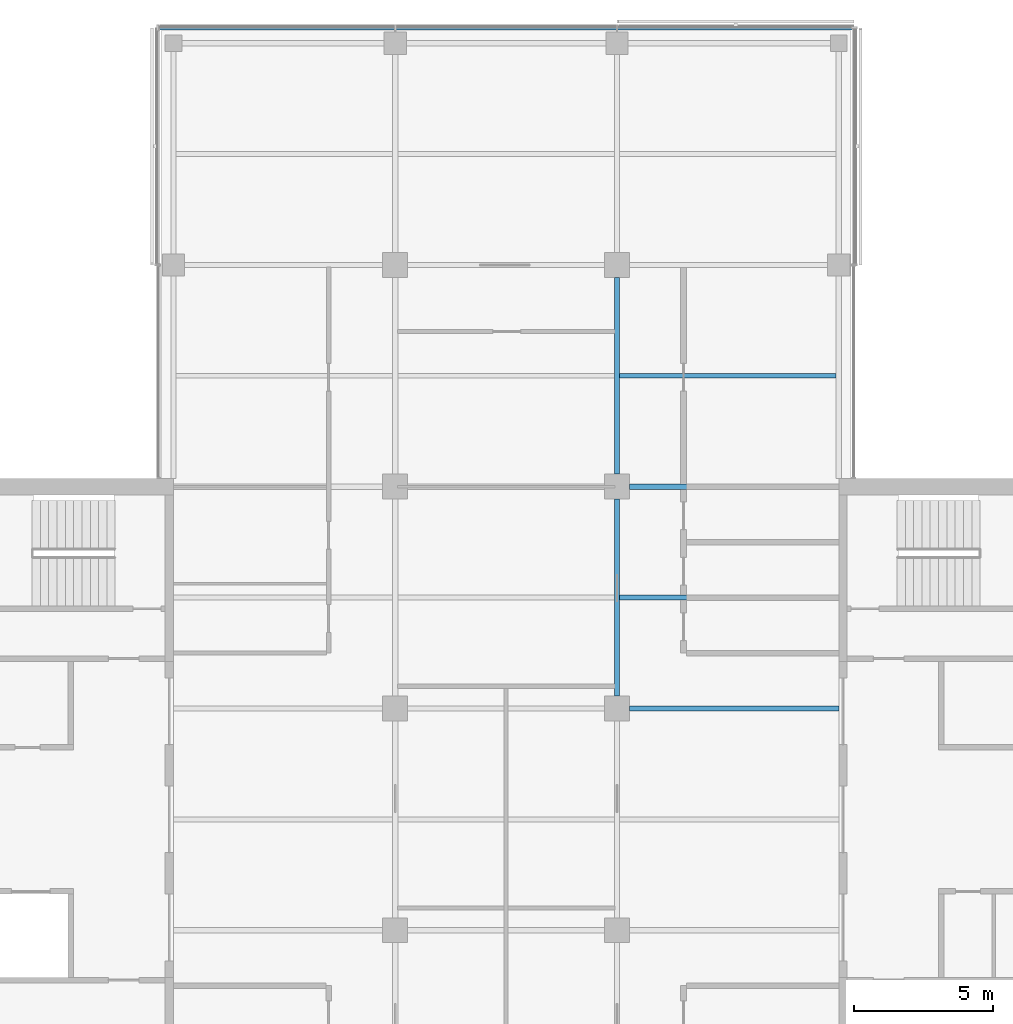
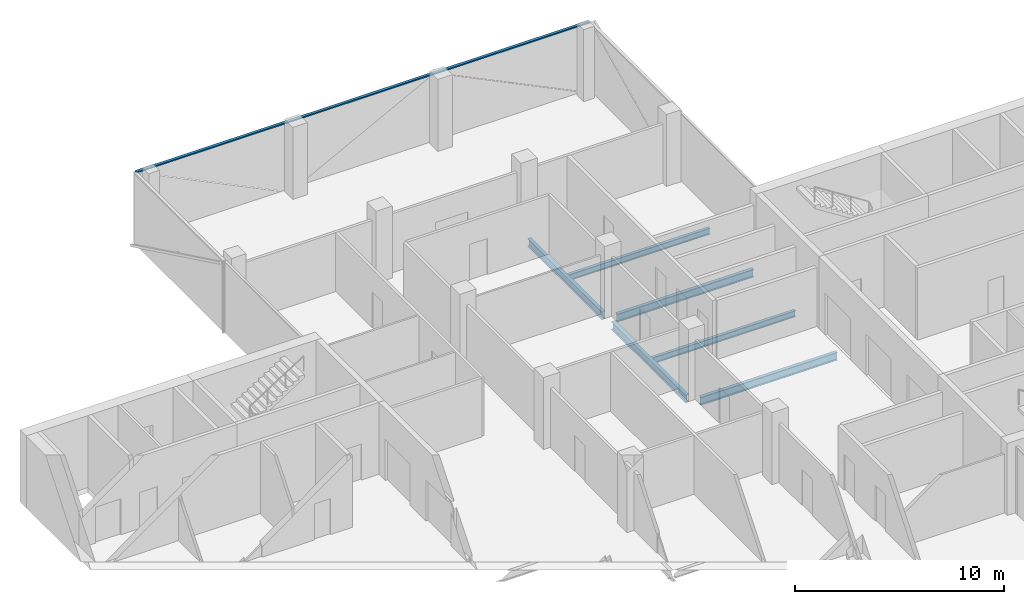
# One storey, part 6 of 16: 6 beams, 1 member, 1 element without a shape of its own.
"""IFC4 building model written with IfcOpenShell, lengths in metres."""

import ifcopenshell
import ifcopenshell.guid

model = None  # the IFC model being written
_history = None  # IfcOwnerHistory: only IFC2X3 demands one
_inside = {}  # id of a spatial element -> (the spatial element, [elements in it])
_under = {}  # id of a project, library or spatial element -> (it, [spatial elements below it])
_declared = {}  # id of a project -> (the project, [libraries it declares])
_typed = {}  # id of a type object -> (the type object, [elements of that type])
_made_of = {}  # id of a material, layer set ... -> (it, [elements and type objects made of it])


def new_model(schema):
    """Start an empty IFC model of exactly this schema.

    Asked for "IFC4X3", IfcOpenShell would pick the latest addendum, in which some entities
    have other attributes; the version numbers below select the first issue.
    IFC2X3 requires an IfcOwnerHistory on every rooted entity: one is made here for all.
    """
    global model, _history
    if schema == "IFC4X3":
        model = ifcopenshell.file(schema_version=(4, 3, 0, 0))
    else:
        model = ifcopenshell.file(schema=schema)
    _inside.clear()
    _under.clear()
    _declared.clear()
    _typed.clear()
    _made_of.clear()
    _history = None
    if model.schema == "IFC2X3":
        org = make("IfcOrganization", Name="unknown")
        user = make(
            "IfcPersonAndOrganization",
            ThePerson=make("IfcPerson", FamilyName="unknown"),
            TheOrganization=org,
        )
        app = make(
            "IfcApplication",
            ApplicationDeveloper=org,
            Version="unknown",
            ApplicationFullName="unknown",
            ApplicationIdentifier="unknown",
        )
        _history = make(
            "IfcOwnerHistory",
            OwningUser=user,
            OwningApplication=app,
            ChangeAction="ADDED",
            CreationDate=0,
        )
    return model


def make(cls, **values):
    """One entity of the class cls with the attributes given. An attribute that is None is left unset."""
    return model.create_entity(
        cls, **{name: value for name, value in values.items() if value is not None}
    )


def rooted(cls, **values):
    """An entity with a GlobalId (a new one), such as an element, a storey or a relation."""
    return make(cls, GlobalId=ifcopenshell.guid.new(), OwnerHistory=_history, **values)


def si_unit(unit_type, name, prefix=None):
    """IfcSIUnit, for example si_unit("LENGTHUNIT", "METRE", prefix="MILLI")."""
    return make("IfcSIUnit", UnitType=unit_type, Prefix=prefix, Name=name)


def assignment(units):
    """IfcUnitAssignment: the units of a project."""
    return None if units is None else make("IfcUnitAssignment", Units=units)


def point(xyz):
    """IfcCartesianPoint."""
    return None if xyz is None else make("IfcCartesianPoint", Coordinates=xyz)


def direction(xyz):
    """IfcDirection."""
    return None if xyz is None else make("IfcDirection", DirectionRatios=xyz)


def frame(location, z_axis=None, x_axis=None):
    """IfcAxis2Placement3D, a coordinate frame: its origin and axes. An axis left out is left unset."""
    return make(
        "IfcAxis2Placement3D",
        Location=point(location),
        Axis=direction(z_axis),
        RefDirection=direction(x_axis),
    )


def frame_2d(location, x_axis=None):
    """IfcAxis2Placement2D, a coordinate frame in the plane: its origin and x axis."""
    return make(
        "IfcAxis2Placement2D", Location=point(location), RefDirection=direction(x_axis)
    )


def origin():
    """The frame at (0, 0, 0) with its axes left unset."""
    return frame((0.0, 0.0, 0.0))


def origin_2d():
    """The frame at (0, 0) in the plane with its x axis left unset."""
    return frame_2d((0.0, 0.0))


def place(relative_to, where):
    """IfcLocalPlacement: puts the frame where relative to a parent placement (None: the world)."""
    return make(
        "IfcLocalPlacement", PlacementRelTo=relative_to, RelativePlacement=where
    )


def context(
    kind, dimensions, precision=None, world=None, true_north=None, identifier=None
):
    """IfcGeometricRepresentationContext, for example the 3D "Model" context."""
    return make(
        "IfcGeometricRepresentationContext",
        ContextIdentifier=identifier,
        ContextType=kind,
        CoordinateSpaceDimension=dimensions,
        Precision=precision,
        WorldCoordinateSystem=world,
        TrueNorth=true_north,
    )


def subcontext(parent, identifier, kind, view, scale=None):
    """IfcGeometricRepresentationSubContext, for example "Body" below "Model"."""
    return make(
        "IfcGeometricRepresentationSubContext",
        ContextIdentifier=identifier,
        ContextType=kind,
        ParentContext=parent,
        TargetScale=scale,
        TargetView=view,
    )


def project(units=None, contexts=None):
    """IfcProject with its units and contexts."""
    return rooted(
        "IfcProject",
        Name="project",
        RepresentationContexts=contexts,
        UnitsInContext=assignment(units),
    )


def spatial(cls, under=None, at=None, **own):
    """A site, building, storey or space (cls), placed at a placement, below another one or the project."""
    s = rooted(cls, ObjectPlacement=at, **own)
    if under is not None:
        _under.setdefault(under.id(), (under, []))[1].append(s)
    return s


def profile(cls, at=None, kind="AREA", **sizes):
    """A parametric profile (cls). Its sizes go by their IFC names, for example OverallWidth=200.0."""
    return make(cls, ProfileType=kind, Position=at, **sizes)


def rectangle(**sizes):
    """IfcRectangleProfileDef."""
    return profile("IfcRectangleProfileDef", **sizes)


def i_section(**sizes):
    """IfcIShapeProfileDef."""
    return profile("IfcIShapeProfileDef", **sizes)


def extrude(swept, where, along, depth):
    """IfcExtrudedAreaSolid: the profile swept, set in the frame where, extruded along a direction by depth."""
    return make(
        "IfcExtrudedAreaSolid",
        SweptArea=swept,
        Position=where,
        ExtrudedDirection=direction(along),
        Depth=depth,
    )


def shape(context_of_items, identifier, shape_type, items):
    """IfcShapeRepresentation: the items that make up one representation, for example the "Body"."""
    return make(
        "IfcShapeRepresentation",
        ContextOfItems=context_of_items,
        RepresentationIdentifier=identifier,
        RepresentationType=shape_type,
        Items=items,
    )


def material(Name=None, Category=None):
    """IfcMaterial."""
    return make("IfcMaterial", Name=Name, Category=Category)


def material_profile(
    of_material, cross_section, Name=None, Category=None, Priority=None
):
    """IfcMaterialProfile: a cross section and its material."""
    return make(
        "IfcMaterialProfile",
        Name=Name,
        Material=of_material,
        Profile=cross_section,
        Priority=Priority,
        Category=Category,
    )


def profile_set(profiles, Name=None, composite=None):
    """IfcMaterialProfileSet."""
    return make(
        "IfcMaterialProfileSet",
        Name=Name,
        MaterialProfiles=profiles,
        CompositeProfile=composite,
    )


def made_of(thing, what):
    """Note that an element or type object is made of a material, layer set ...; save() writes the relation."""
    if what is not None:
        _made_of.setdefault(what.id(), (what, []))[1].append(thing)
    return thing


def type_object(cls, material=None, **own):
    """A type object (cls), such as IfcWallType, which elements share."""
    return made_of(rooted(cls, **own), material)


def element(
    cls,
    number,
    at=None,
    inside=None,
    cuts=None,
    type_object=None,
    material=None,
    context=None,
    identifier="Body",
    shape_type=None,
    held_by="IfcProductDefinitionShape",
    body=None,
    shapes=None,
    **own,
):
    """One element of the class cls, such as IfcWall. Its Tag is "e" and its number.

    at: its placement. inside: the storey or other place that contains it. cuts: it is an
    opening in that element (IfcRelVoidsElement). A single representation is given by context,
    identifier, shape_type and body (its items); several are given by shapes. held_by: the class
    of the entity that holds the representations. save() writes the other relations.
    """
    e = rooted(cls, Tag="e%d" % number, ObjectPlacement=at, **own)
    if body is not None:
        shapes = [shape(context, identifier, shape_type, body)]
    if shapes is not None:
        e.Representation = make(held_by, Representations=shapes)
    if inside is not None:
        _inside.setdefault(inside.id(), (inside, []))[1].append(e)
    if cuts is not None:
        rooted(
            "IfcRelVoidsElement", RelatingBuildingElement=cuts, RelatedOpeningElement=e
        )
    if type_object is not None:
        _typed.setdefault(type_object.id(), (type_object, []))[1].append(e)
    return made_of(e, material)


def aggregate(whole, parts):
    """IfcRelAggregates: a whole, such as a stair, and the parts it consists of."""
    return rooted("IfcRelAggregates", RelatingObject=whole, RelatedObjects=parts)


def save(model, path):
    """Write the relations noted so far, then the file.

    IfcRelAggregates (storeys below a building ...), IfcRelContainedInSpatialStructure (elements
    in a storey), IfcRelDefinesByType, IfcRelAssociatesMaterial and IfcRelDeclares: one each for
    every whole, place, type object, material and project.
    """
    for whole, parts in _under.values():
        aggregate(whole, parts)
    for where, things in _inside.values():
        rooted(
            "IfcRelContainedInSpatialStructure",
            RelatedElements=things,
            RelatingStructure=where,
        )
    for kind, things in _typed.values():
        rooted("IfcRelDefinesByType", RelatedObjects=things, RelatingType=kind)
    for what, things in _made_of.values():
        rooted("IfcRelAssociatesMaterial", RelatedObjects=things, RelatingMaterial=what)
    for by, libraries in _declared.values():
        rooted("IfcRelDeclares", RelatingContext=by, RelatedDefinitions=libraries)
    model.write(path)


model = new_model("IFC4")

# Units and contexts
model_context = context("Model", 3, precision=1e-05, world=origin(), true_north=direction((0.0, 1.0)))
body_context = subcontext(model_context, "Body", "Model", "MODEL_VIEW")
ifc_project = project(units=[si_unit("LENGTHUNIT", "METRE"), si_unit("AREAUNIT", "SQUARE_METRE"), si_unit("VOLUMEUNIT", "CUBIC_METRE"), si_unit("PLANEANGLEUNIT", "RADIAN"), si_unit("MASSUNIT", "GRAM", prefix="KILO")], contexts=[model_context])

# Site, building, storey
site_placement = place(None, origin())
site = spatial("IfcSite", under=ifc_project, at=site_placement, CompositionType="ELEMENT")
building_placement = place(site_placement, origin())
building = spatial("IfcBuilding", under=site, at=building_placement, Name="Crosswind Convention Tower", CompositionType="ELEMENT")
storey_placement = place(building_placement, frame((0.0, 0.0, 216.699951171875)))
storey = spatial("IfcBuildingStorey", under=building, at=storey_placement, Name="L46", CompositionType="ELEMENT", Elevation=216.699951171875)

# Beams
ifc_material_1 = material(Name="Steel S355", Category="steel")
ifc_material_profile_1 = material_profile(ifc_material_1, i_section(OverallWidth=0.1904296875, OverallDepth=0.457275390625, WebThickness=0.009033203125, FlangeThickness=0.014404296875, FilletRadius=0.01025390625, at=origin_2d()), Name="UB 457x191x75")
ifc_profile_set_1 = profile_set([ifc_material_profile_1], Name="Steel S355")
beam_type_1 = type_object("IfcBeamType", Name="Girder UB 457x191x75", PredefinedType="BEAM", material=ifc_profile_set_1)
for number, where, z_axis, x_axis, name in (
    (1, (129.0, 104.449951171875, -0.528564453125), (0.0, 1.0, 0.0), (-1.0, 0.0, 0.0), "B2 L46 girder 20"),
    (2, (129.0, 112.449951171875, -0.528564453125), (0.0, 1.0, 0.0), (-1.0, 0.0, 0.0), "B2 L46 girder 21"),
):
    element("IfcBeam", number, at=place(storey_placement, frame(where, z_axis=z_axis, x_axis=x_axis)), inside=storey, type_object=beam_type_1, Name=name, PredefinedType="BEAM", context=body_context, shape_type="SweptSolid", body=[
        extrude(i_section(OverallWidth=0.1904296875, OverallDepth=0.457275390625, WebThickness=0.009033203125, FlangeThickness=0.014404296875, FilletRadius=0.01025390625, at=origin_2d()), origin(), (0.0, 0.0, 1.0), 7.10009765625),
    ])
ifc_material_profile_2 = material_profile(ifc_material_1, i_section(OverallWidth=0.19140625, OverallDepth=0.460205078125, WebThickness=0.010009765625, FlangeThickness=0.01611328125, FilletRadius=0.01025390625, at=origin_2d()), Name="UB 457x191x82")
ifc_profile_set_2 = profile_set([ifc_material_profile_2], Name="Steel S355")
beam_type_2 = type_object("IfcBeamType", Name="Girder at core wall UB 457x191x82", PredefinedType="BEAM", material=ifc_profile_set_2)
for number, where, z_axis, x_axis, name in (
    (3, (129.449951171875, 104.0, -0.530029296875), (1.0, 0.0, 0.0), (0.0, 1.0, 0.0), "B23 L46 girder at core wall 7"),
    (4, (129.449951171875, 112.0, -0.530029296875), (1.0, 0.0, 0.0), (0.0, 1.0, 0.0), "B23 L46 girder at core wall 8"),
):
    element("IfcBeam", number, at=place(storey_placement, frame(where, z_axis=z_axis, x_axis=x_axis)), inside=storey, type_object=beam_type_2, Name=name, PredefinedType="BEAM", context=body_context, shape_type="SweptSolid", body=[
        extrude(i_section(OverallWidth=0.19140625, OverallDepth=0.460205078125, WebThickness=0.010009765625, FlangeThickness=0.01611328125, FilletRadius=0.01025390625, at=origin_2d()), origin(), (0.0, 0.0, 1.0), 7.550048828125),
    ])
ifc_material_profile_3 = material_profile(ifc_material_1, i_section(OverallWidth=0.172119140625, OverallDepth=0.358642578125, WebThickness=0.008056640625, FlangeThickness=0.012939453125, FilletRadius=0.01025390625, at=origin_2d()), Name="UB 356x171x57")
ifc_profile_set_3 = profile_set([ifc_material_profile_3], Name="Steel S355")
beam_type_3 = type_object("IfcBeamType", Name="Secondary beam UB 356x171x57", PredefinedType="JOIST", material=ifc_profile_set_3)
beam_1_placement = place(storey_placement, frame((129.09521484375, 108.0, -0.479248046875), z_axis=(1.0, 0.0, 0.0), x_axis=(0.0, 1.0, 0.0)))
element("IfcBeam", 5, at=beam_1_placement, inside=storey, type_object=beam_type_3, Name="B9 L46 secondary beam 19", PredefinedType="JOIST", context=body_context, shape_type="SweptSolid", body=[
    extrude(i_section(OverallWidth=0.172119140625, OverallDepth=0.358642578125, WebThickness=0.008056640625, FlangeThickness=0.012939453125, FilletRadius=0.01025390625, at=origin_2d()), origin(), (0.0, 0.0, 1.0), 7.90478515625),
])
beam_2_placement = place(storey_placement, frame((129.09521484375, 116.0, -0.479248046875), z_axis=(1.0, 0.0, 0.0), x_axis=(0.0, 1.0, 0.0)))
element("IfcBeam", 6, at=beam_2_placement, inside=storey, type_object=beam_type_3, Name="B9 L46 secondary beam 20", PredefinedType="JOIST", context=body_context, shape_type="SweptSolid", body=[
    extrude(i_section(OverallWidth=0.172119140625, OverallDepth=0.358642578125, WebThickness=0.008056640625, FlangeThickness=0.012939453125, FilletRadius=0.01025390625, at=origin_2d()), origin(), (0.0, 0.0, 1.0), 7.809814453125),
])

# Curtain wall, member
ifc_material_2 = material(Name="Aluminium unitised curtain wall", Category="aluminium")
curtain_wall_type = type_object("IfcCurtainWallType", Name="OFFICE UNITISED WALL 220", PredefinedType="USERDEFINED", material=ifc_material_2)
curtain_wall_placement = place(storey_placement, origin())
curtain_wall = element("IfcCurtainWall", 7, at=curtain_wall_placement, inside=storey, type_object=curtain_wall_type, Name="CW3 L46 N-TIP 1", ObjectType="UNITISED", PredefinedType="USERDEFINED")
ifc_material_3 = material(Name="Aluminium transom", Category="aluminium")
ifc_material_profile_4 = material_profile(ifc_material_3, rectangle(XDim=0.159912109375, YDim=0.070068359375, at=origin_2d()), Name="AL 160X70")
ifc_profile_set_4 = profile_set([ifc_material_profile_4], Name="Aluminium transom")
member_type = type_object("IfcMemberType", Name="TRANSOM 70X160", PredefinedType="USERDEFINED", material=ifc_profile_set_4)
member_placement = place(storey_placement, frame((137.52490234375, 128.56005859375, 3.864990234375), z_axis=(-1.0, 0.0, 0.0), x_axis=(0.0, -1.0, 0.0)))
member = element("IfcMember", 8, at=member_placement, type_object=member_type, Name="CW3 transom", ObjectType="TRANSOM", PredefinedType="USERDEFINED", context=body_context, shape_type="SweptSolid", body=[
    extrude(rectangle(XDim=0.159912109375, YDim=0.070068359375, at=origin_2d()), origin(), (0.0, 0.0, 1.0), 25.0498046875),
])
aggregate(curtain_wall, [member])

save(model, "model.ifc")
